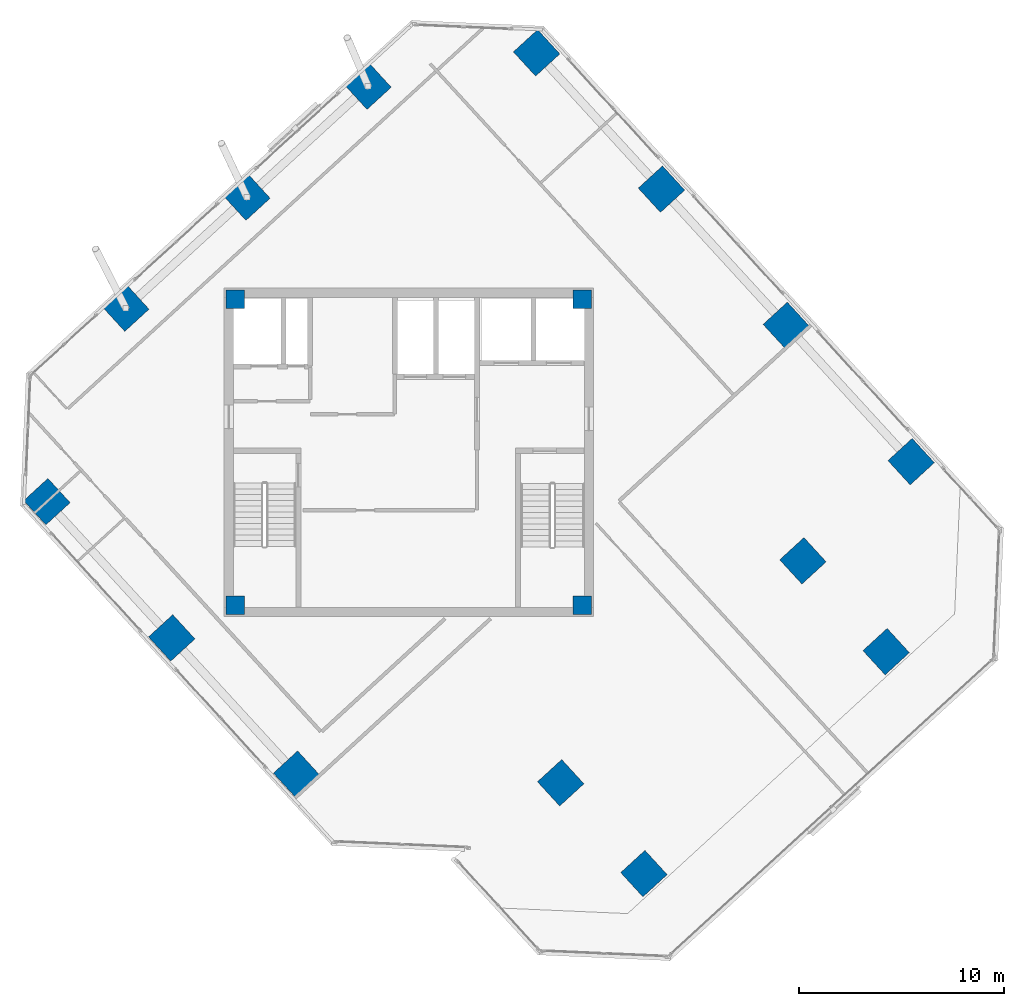
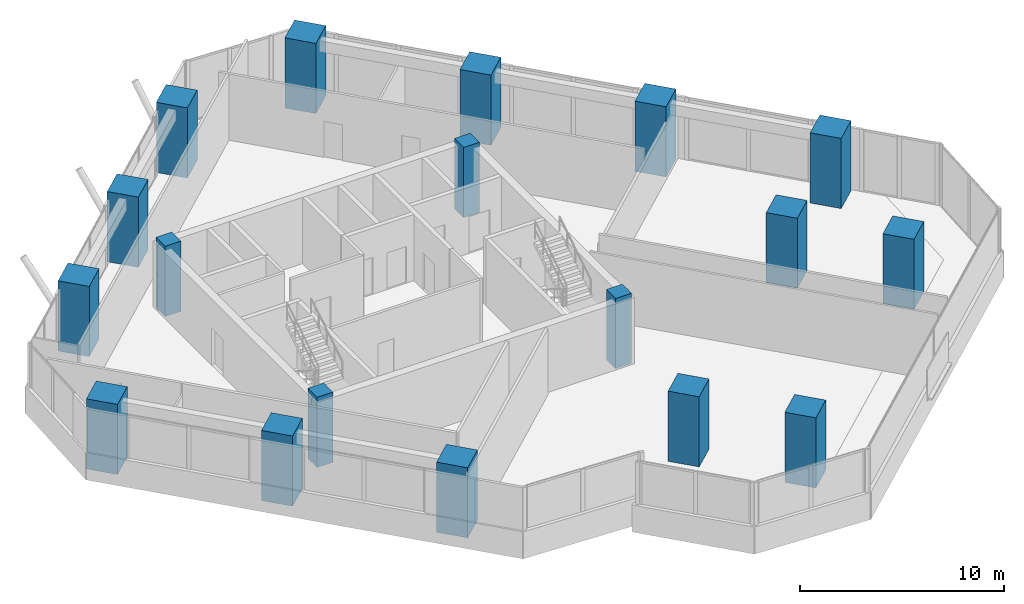
# One storey, part 1 of 16: 18 columns.
"""IFC4 building model written with IfcOpenShell, lengths in metres."""

from ifc_helpers import new_model, si_unit, direction, frame, origin, origin_2d, place, context, subcontext, project, spatial, rectangle, extrude, source, transform, mapped, material, material_profile, profile_set, type_object, element, save


model = new_model("IFC4")

# Units and contexts
model_context = context("Model", 3, precision=1e-05, world=origin(), true_north=direction((0.0, 1.0)))
body_context = subcontext(model_context, "Body", "Model", "MODEL_VIEW")
ifc_project = project(units=[si_unit("LENGTHUNIT", "METRE"), si_unit("AREAUNIT", "SQUARE_METRE"), si_unit("VOLUMEUNIT", "CUBIC_METRE"), si_unit("PLANEANGLEUNIT", "RADIAN"), si_unit("MASSUNIT", "GRAM", prefix="KILO")], contexts=[model_context])

# Site, building, storey
site_placement = place(None, origin())
site = spatial("IfcSite", under=ifc_project, at=site_placement, CompositionType="ELEMENT")
building_placement = place(site_placement, origin())
building = spatial("IfcBuilding", under=site, at=building_placement, Name="Torre Montelarca", CompositionType="ELEMENT")
storey_placement = place(building_placement, frame((0.0, 0.0, 262.60009765625)))
storey = spatial("IfcBuildingStorey", under=building, at=storey_placement, Name="L59", CompositionType="ELEMENT", Elevation=262.60009765625)

# Columns
ifc_material_1 = material(Name="Concrete C55/67", Category="concrete")
ifc_material_profile_1 = material_profile(ifc_material_1, rectangle(XDim=0.89990234375, YDim=0.89990234375, at=origin_2d()), Name="RC900X900", Category="concrete")
ifc_profile_set_1 = profile_set([ifc_material_profile_1], Name="Concrete C55/67")
column_type_1 = type_object("IfcColumnType", Name="COL-RC900", PredefinedType="COLUMN", material=ifc_profile_set_1)
shared_shape_1 = source(origin(), body_context, "Body", "SweptSolid", [
    extrude(rectangle(XDim=0.89990234375, YDim=0.89990234375, at=origin_2d()), origin(), (0.0, 0.0, 1.0), 4.198486328125),
])
for number, where, z_axis, x_axis, name in (
    (1, (9.550048828125, 24.550048828125, 0.000732421875), (0.0, 0.0, 1.0), (1.0, 0.0, 0.0), "L59 Plumb Core Corner Column 2D"),
    (2, (26.449951171875, 24.550048828125, 0.000732421875), (0.0, 0.0, 1.0), (1.0, 0.0, 0.0), "L59 Plumb Core Corner Column 4D"),
    (3, (9.550048828125, 39.449951171875, 0.000732421875), (0.0, 0.0, 1.0), (1.0, 0.0, 0.0), "L59 Plumb Core Corner Column 2F"),
    (4, (26.449951171875, 39.449951171875, 0.000732421875), (0.0, 0.0, 1.0), (1.0, 0.0, 0.0), "L59 Plumb Core Corner Column 4F"),
):
    element("IfcColumn", number, at=place(storey_placement, frame(where, z_axis=z_axis, x_axis=x_axis)), inside=storey, type_object=column_type_1, Name=name, PredefinedType="COLUMN", context=body_context, shape_type="MappedRepresentation", body=[
        mapped(shared_shape_1, transform((0.0, 0.0, 0.0), scale=1.0)),
    ])
ifc_material_2 = material(Name="Concrete C70/85", Category="concrete")
ifc_material_profile_2 = material_profile(ifc_material_2, rectangle(XDim=1.60009765625, YDim=1.60009765625, at=origin_2d()), Name="RC1600X1600", Category="concrete")
ifc_profile_set_2 = profile_set([ifc_material_profile_2], Name="Concrete C70/85")
column_type_2 = type_object("IfcColumnType", Name="COL-RC1600-EXT", PredefinedType="COLUMN", material=ifc_profile_set_2)
shared_shape_2 = source(origin(), body_context, "Body", "SweptSolid", [
    extrude(rectangle(XDim=1.60009765625, YDim=1.60009765625, at=origin_2d()), origin(), (0.0, 0.0, 1.0), 4.198486328125),
])
for number, where, z_axis, x_axis, name in (
    (5, (0.3740234375, 29.595703125, 0.000732421875), (0.0, 0.0, 1.0), (-0.675590207616, 0.73727733681, 0.0), "L59 Perimeter Mega Column 2/CS"),
    (6, (24.224853515625, 51.451171875, 0.000732421875), (0.0, 0.0, 1.0), (-0.675590207616, 0.73727733681, 0.0), "L59 Perimeter Mega Column 2/GN"),
    (7, (6.454345703125, 22.960205078125, 0.000732421875), (0.0, 0.0, 1.0), (-0.675590207616, 0.73727733681, 0.0), "L59 Perimeter Mega Column 3/CS"),
    (8, (30.30517578125, 44.815673828125, 0.000732421875), (0.0, 0.0, 1.0), (-0.675590207616, 0.73727733681, 0.0), "L59 Perimeter Mega Column 3/GN"),
    (9, (12.53466796875, 16.32470703125, 0.000732421875), (0.0, 0.0, 1.0), (-0.675590207616, 0.73727733681, 0.0), "L59 Perimeter Mega Column 4/CS"),
    (10, (36.385498046875, 38.18017578125, 0.000732421875), (0.0, 0.0, 1.0), (-0.675590207616, 0.73727733681, 0.0), "L59 Perimeter Mega Column 4/GN"),
    (11, (42.4658203125, 31.544677734375, 0.000732421875), (0.0, 0.0, 1.0), (-0.675590207616, 0.73727733681, 0.0), "L59 Perimeter Mega Column 5/GN"),
    (12, (29.451416015625, 11.481201171875, 0.000732421875), (0.0, 0.0, 1.0), (-0.675590207616, 0.73727733681, 0.0), "L59 Perimeter Mega Column 6/D"),
    (13, (41.247802734375, 22.29052734375, 0.000732421875), (0.0, 0.0, 1.0), (-0.675590207616, 0.73727733681, 0.0), "L59 Perimeter Mega Column 6/F"),
    (14, (4.218017578125, 39.018310546875, 0.000732421875), (0.0, 0.0, 1.0), (-0.675590207616, 0.73727733681, 0.0), "L59 Perimeter Mega Column 1W/D"),
    (15, (10.1162109375, 44.423095703125, 0.000732421875), (0.0, 0.0, 1.0), (-0.675590207616, 0.73727733681, 0.0), "L59 Perimeter Mega Column 1W/E"),
    (16, (16.014404296875, 49.827880859375, 0.000732421875), (0.0, 0.0, 1.0), (-0.675590207616, 0.73727733681, 0.0), "L59 Perimeter Mega Column 1W/F"),
):
    element("IfcColumn", number, at=place(storey_placement, frame(where, z_axis=z_axis, x_axis=x_axis)), inside=storey, type_object=column_type_2, Name=name, PredefinedType="COLUMN", context=body_context, shape_type="MappedRepresentation", body=[
        mapped(shared_shape_2, transform((0.0, 0.0, 0.0), scale=1.0)),
    ])
ifc_material_profile_3 = material_profile(ifc_material_2, rectangle(XDim=1.60009765625, YDim=1.60009765625, at=origin_2d()), Name="RC1600X1600", Category="concrete")
ifc_profile_set_3 = profile_set([ifc_material_profile_3], Name="Concrete C70/85")
column_type_3 = type_object("IfcColumnType", Name="COL-RC1600", PredefinedType="COLUMN", material=ifc_profile_set_3)
shared_shape_3 = source(origin(), body_context, "Body", "SweptSolid", [
    extrude(rectangle(XDim=1.60009765625, YDim=1.60009765625, at=origin_2d()), origin(), (0.0, 0.0, 1.0), 4.198486328125),
])
for number, where, z_axis, x_axis, name in (
    (17, (25.397705078125, 15.90478515625, 0.000732421875), (0.0, 0.0, 1.0), (-0.675590207616, 0.73727733681, 0.0), "L59 Column 5/D"),
    (18, (37.1943359375, 26.714111328125, 0.000732421875), (0.0, 0.0, 1.0), (-0.675590207616, 0.73727733681, 0.0), "L59 Column 5/F"),
):
    element("IfcColumn", number, at=place(storey_placement, frame(where, z_axis=z_axis, x_axis=x_axis)), inside=storey, type_object=column_type_3, Name=name, PredefinedType="COLUMN", context=body_context, shape_type="MappedRepresentation", body=[
        mapped(shared_shape_3, transform((0.0, 0.0, 0.0), scale=1.0)),
    ])

save(model, "model.ifc")
